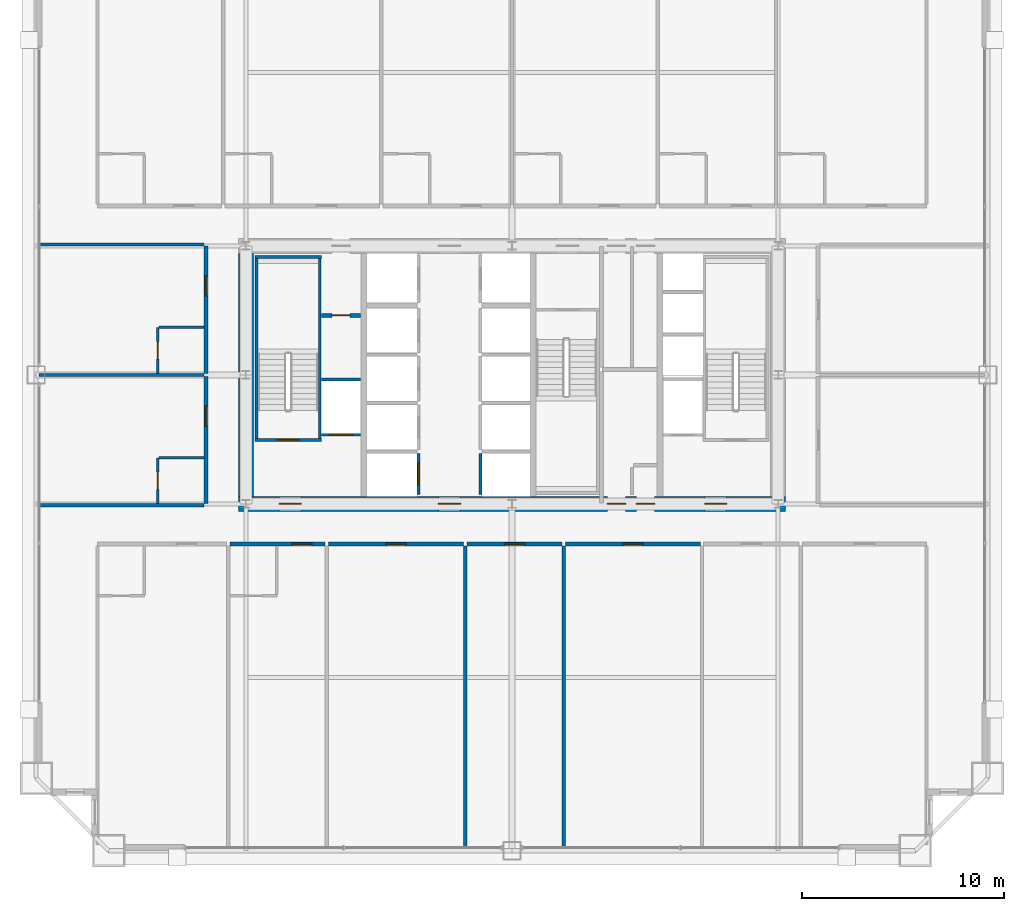
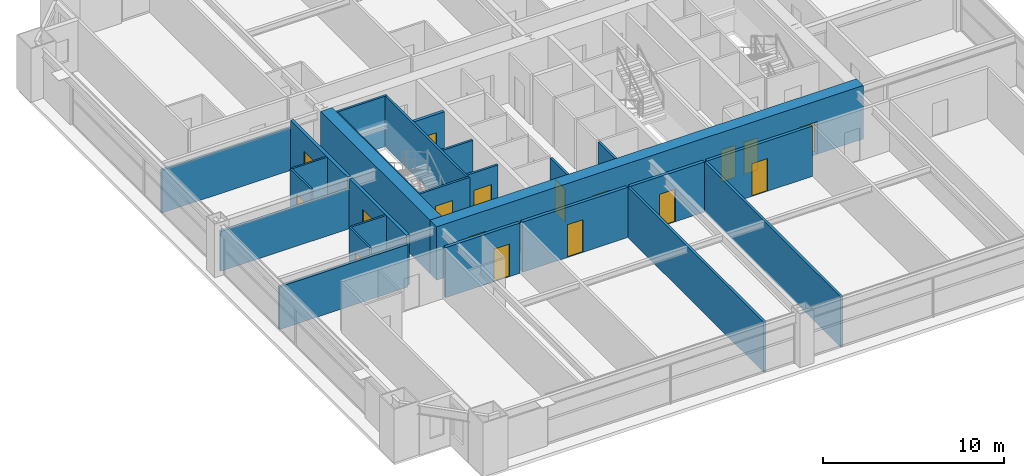
# One storey, part 35 of 39: 26 walls, 17 doors, 17 openings.
"""IFC4 building model written with IfcOpenShell, lengths in metres."""

from ifc_helpers import new_model, si_unit, direction, frame, frame_2d, origin, place, context, subcontext, project, spatial, rectangle, extrude, source, transform, mapped, material, layer, layer_set, type_object, element, fill, save


model = new_model("IFC4")

# Units and contexts
model_context = context("Model", 3, precision=1e-05, world=origin(), true_north=direction((0.0, 1.0)))
body_context = subcontext(model_context, "Body", "Model", "MODEL_VIEW")
ifc_project = project(units=[si_unit("LENGTHUNIT", "METRE"), si_unit("AREAUNIT", "SQUARE_METRE"), si_unit("VOLUMEUNIT", "CUBIC_METRE"), si_unit("PLANEANGLEUNIT", "RADIAN"), si_unit("MASSUNIT", "GRAM", prefix="KILO"), si_unit("THERMODYNAMICTEMPERATUREUNIT", "KELVIN"), si_unit("POWERUNIT", "WATT")], contexts=[model_context])

# Site, building, storey
site_placement = place(None, origin())
site = spatial("IfcSite", under=ifc_project, at=site_placement, CompositionType="ELEMENT")
building_placement = place(site_placement, origin())
building = spatial("IfcBuilding", under=site, at=building_placement, Name="Yuzanri Waterfront Tower", CompositionType="ELEMENT")
storey_placement = place(building_placement, frame((0.0, 0.0, 156.0)))
storey = spatial("IfcBuildingStorey", under=building, at=storey_placement, Name="L41", CompositionType="ELEMENT", Elevation=156.0)

# Wall, opening, door
ifc_material_1 = material(Name="Moisture-Resistant Gypsum Stud Wall", Category="gypsum")
ifc_layer_1 = layer(ifc_material_1, 0.1201171875)
ifc_layer_set_1 = layer_set([ifc_layer_1], Name="Moisture-Resistant Gypsum Stud Wall")
wall_type_1 = type_object("IfcWallType", Name="Bathroom and Kitchen Wet Partition 120", PredefinedType="PARTITIONING", material=ifc_layer_set_1)
wall_1_placement = place(storey_placement, frame((19.43994140625, 19.409912109375, 0.0), z_axis=(0.0, 0.0, 1.0), x_axis=(0.0, 1.0, 0.0)))
wall_1 = element("IfcWall", 1, at=wall_1_placement, inside=storey, type_object=wall_type_1, Name="L41 Partition UW-L41-W1-BW", PredefinedType="PARTITIONING", context=body_context, shape_type="SweptSolid", body=[
    extrude(rectangle(XDim=2.280029296875, YDim=0.1201171875, at=frame_2d((1.14013671875, 0.0))), origin(), (0.0, 0.0, 1.0), 3.3798828125),
])
opening_1_placement = place(wall_1_placement, frame((0.715087890625, 0.0, 0.0)))
opening_1 = element("IfcOpeningElement", 2, at=opening_1_placement, cuts=wall_1, Name="Opening ID-0850", PredefinedType="OPENING", context=body_context, shape_type="SweptSolid", body=[
    extrude(rectangle(XDim=0.85009765625, YDim=2.10009765625, at=frame_2d((0.425048828125, 1.050048828125))), frame((0.0, 0.074951171875, 0.0), z_axis=(0.0, -1.0, 0.0), x_axis=(1.0, 0.0, 0.0)), (0.0, 0.0, 1.0), 0.14990234375),
])
ifc_material_2 = material(Name="Moisture-Resistant Lacquered Timber", Category="wood")
door_type_1 = type_object("IfcDoorType", Name="En-Suite Bathroom and Kitchen Swing Door 850x2100", OperationType="NOTDEFINED", PredefinedType="DOOR", material=ifc_material_2)
shared_shape_1 = source(origin(), body_context, "Body", "SweptSolid", [
    extrude(rectangle(XDim=0.85009765625, YDim=2.10009765625, at=frame_2d((0.425048828125, 1.050048828125))), frame((0.0, 0.02490234375, 0.0), z_axis=(0.0, -1.0, 0.0), x_axis=(1.0, 0.0, 0.0)), (0.0, 0.0, 1.0), 0.050048828125),
])
door_1_placement = place(opening_1_placement, origin())
door_1 = element("IfcDoor", 3, at=door_1_placement, inside=storey, type_object=door_type_1, Name="L41 Guest En-Suite Door", OperationType="SINGLE_SWING_LEFT", OverallHeight=2.10009765625, OverallWidth=0.85009765625, PredefinedType="DOOR", context=body_context, shape_type="MappedRepresentation", body=[
    mapped(shared_shape_1, transform((0.0, 0.0, 0.0), scale=1.0)),
])
fill(opening_1, door_1)

wall_2_placement = place(storey_placement, frame((19.43994140625, 25.8798828125, 0.0), z_axis=(0.0, 0.0, 1.0), x_axis=(0.0, 1.0, 0.0)))
wall_2 = element("IfcWall", 4, at=wall_2_placement, inside=storey, type_object=wall_type_1, Name="L41 Partition UW-L41-W2-BW", PredefinedType="PARTITIONING", context=body_context, shape_type="SweptSolid", body=[
    extrude(rectangle(XDim=2.280029296875, YDim=0.1201171875, at=frame_2d((1.14013671875, 0.0))), origin(), (0.0, 0.0, 1.0), 3.3798828125),
])
opening_2_placement = place(wall_2_placement, frame((0.715087890625, 0.0, 0.0)))
opening_2 = element("IfcOpeningElement", 5, at=opening_2_placement, cuts=wall_2, Name="Opening ID-0850", PredefinedType="OPENING", context=body_context, shape_type="SweptSolid", body=[
    extrude(rectangle(XDim=0.85009765625, YDim=2.10009765625, at=frame_2d((0.425048828125, 1.050048828125))), frame((0.0, 0.074951171875, 0.0), z_axis=(0.0, -1.0, 0.0), x_axis=(1.0, 0.0, 0.0)), (0.0, 0.0, 1.0), 0.14990234375),
])
door_2_placement = place(opening_2_placement, origin())
door_2 = element("IfcDoor", 6, at=door_2_placement, inside=storey, type_object=door_type_1, Name="L41 Guest En-Suite Door", OperationType="SINGLE_SWING_LEFT", OverallHeight=2.10009765625, OverallWidth=0.85009765625, PredefinedType="DOOR", context=body_context, shape_type="MappedRepresentation", body=[
    mapped(shared_shape_1, transform((0.0, 0.0, 0.0), scale=1.0)),
])
fill(opening_2, door_2)

# Wall, openings, doors
ifc_material_3 = material(Name="Concrete C55", Category="concrete")
ifc_layer_2 = layer(ifc_material_3, 0.75)
ifc_layer_set_2 = layer_set([ifc_layer_2], Name="Concrete C55")
wall_type_2 = type_object("IfcWallType", Name="Concrete C55 Low-Mid Zone Core Shear Wall 750", PredefinedType="SHEAR", material=ifc_layer_set_2)
wall_3_placement = place(storey_placement, frame((23.425048828125, 19.39990234375, 0.0), z_axis=(0.0, 0.0, 1.0), x_axis=(1.0, 0.0, 0.0)))
wall_3 = element("IfcWall", 7, at=wall_3_placement, inside=storey, type_object=wall_type_2, Name="L41 Core South Shear Wall", PredefinedType="SHEAR", context=body_context, shape_type="SweptSolid", body=[
    extrude(rectangle(XDim=27.14990234375, YDim=0.75, at=frame_2d((13.574951171875, 0.0))), origin(), (0.0, 0.0, 1.0), 3.60009765625),
])
opening_3_placement = place(wall_3_placement, frame((2.02490234375, 0.0, 0.0)))
opening_3 = element("IfcOpeningElement", 8, at=opening_3_placement, cuts=wall_3, Name="Opening FD-1100", PredefinedType="OPENING", context=body_context, shape_type="SweptSolid", body=[
    extrude(rectangle(XDim=1.10009765625, YDim=2.199951171875, at=frame_2d((0.550048828125, 1.10009765625))), frame((0.0, 0.389892578125, 0.0), z_axis=(0.0, -1.0, 0.0), x_axis=(1.0, 0.0, 0.0)), (0.0, 0.0, 1.0), 0.77978515625),
])
opening_4_placement = place(wall_3_placement, frame((9.925048828125, 0.0, 0.0)))
opening_4 = element("IfcOpeningElement", 9, at=opening_4_placement, cuts=wall_3, Name="Opening FD-1100", PredefinedType="OPENING", context=body_context, shape_type="SweptSolid", body=[
    extrude(rectangle(XDim=1.10009765625, YDim=2.199951171875, at=frame_2d((0.550048828125, 1.10009765625))), frame((0.0, 0.389892578125, 0.0), z_axis=(0.0, -1.0, 0.0), x_axis=(1.0, 0.0, 0.0)), (0.0, 0.0, 1.0), 0.77978515625),
])
opening_5_placement = place(wall_3_placement, frame((23.125, 0.0, 0.0)))
opening_5 = element("IfcOpeningElement", 10, at=opening_5_placement, cuts=wall_3, Name="Opening FD-1100", PredefinedType="OPENING", context=body_context, shape_type="SweptSolid", body=[
    extrude(rectangle(XDim=1.10009765625, YDim=2.199951171875, at=frame_2d((0.550048828125, 1.10009765625))), frame((0.0, 0.389892578125, 0.0), z_axis=(0.0, -1.0, 0.0), x_axis=(1.0, 0.0, 0.0)), (0.0, 0.0, 1.0), 0.77978515625),
])
opening_6_placement = place(wall_3_placement, frame((19.7451171875, 0.0, 0.0)))
opening_6 = element("IfcOpeningElement", 11, at=opening_6_placement, cuts=wall_3, Name="Opening FD-0900", PredefinedType="OPENING", context=body_context, shape_type="SweptSolid", body=[
    extrude(rectangle(XDim=0.89990234375, YDim=2.14990234375, at=frame_2d((0.449951171875, 1.074951171875))), frame((0.0, 0.389892578125, 0.0), z_axis=(0.0, -1.0, 0.0), x_axis=(1.0, 0.0, 0.0)), (0.0, 0.0, 1.0), 0.77978515625),
])
opening_7_placement = place(wall_3_placement, frame((18.304931640625, 0.0, 0.0)))
opening_7 = element("IfcOpeningElement", 12, at=opening_7_placement, cuts=wall_3, Name="Opening FD-0900", PredefinedType="OPENING", context=body_context, shape_type="SweptSolid", body=[
    extrude(rectangle(XDim=0.89990234375, YDim=2.14990234375, at=frame_2d((0.449951171875, 1.074951171875))), frame((0.0, 0.389892578125, 0.0), z_axis=(0.0, -1.0, 0.0), x_axis=(1.0, 0.0, 0.0)), (0.0, 0.0, 1.0), 0.77978515625),
])
ifc_material_4 = material(Name="Painted Galvanized Fire Steel", Category="steel")
door_type_2 = type_object("IfcDoorType", Name="Smoke-Proof Stair and Lobby Fire Door 1100x2200", OperationType="NOTDEFINED", PredefinedType="DOOR", material=ifc_material_4)
shared_shape_2 = source(origin(), body_context, "Body", "SweptSolid", [
    extrude(rectangle(XDim=1.10009765625, YDim=2.199951171875, at=frame_2d((0.550048828125, 1.10009765625))), frame((0.0, 0.02490234375, 0.0), z_axis=(0.0, -1.0, 0.0), x_axis=(1.0, 0.0, 0.0)), (0.0, 0.0, 1.0), 0.050048828125),
])
door_3_placement = place(opening_3_placement, origin())
door_3 = element("IfcDoor", 13, at=door_3_placement, inside=storey, type_object=door_type_2, Name="L41 West Firefighting Lobby Door", OperationType="SINGLE_SWING_RIGHT", OverallHeight=2.199951171875, OverallWidth=1.10009765625, PredefinedType="DOOR", context=body_context, shape_type="MappedRepresentation", body=[
    mapped(shared_shape_2, transform((0.0, 0.0, 0.0), scale=1.0)),
])
fill(opening_3, door_3)
door_4_placement = place(opening_4_placement, origin())
door_4 = element("IfcDoor", 14, at=door_4_placement, inside=storey, type_object=door_type_2, Name="L41 Central Lift Lobby South Door", OperationType="SINGLE_SWING_LEFT", OverallHeight=2.199951171875, OverallWidth=1.10009765625, PredefinedType="DOOR", context=body_context, shape_type="MappedRepresentation", body=[
    mapped(shared_shape_2, transform((0.0, 0.0, 0.0), scale=1.0)),
])
fill(opening_4, door_4)
door_5_placement = place(opening_5_placement, origin())
door_5 = element("IfcDoor", 15, at=door_5_placement, inside=storey, type_object=door_type_2, Name="L41 East Firefighting Lobby Door", OperationType="SINGLE_SWING_RIGHT", OverallHeight=2.199951171875, OverallWidth=1.10009765625, PredefinedType="DOOR", context=body_context, shape_type="MappedRepresentation", body=[
    mapped(shared_shape_2, transform((0.0, 0.0, 0.0), scale=1.0)),
])
fill(opening_5, door_5)
ifc_material_5 = material(Name="Painted Galvanized Fire Steel", Category="steel")
door_type_3 = type_object("IfcDoorType", Name="Riser and Service Room Fire Door 900x2150", OperationType="NOTDEFINED", PredefinedType="DOOR", material=ifc_material_5)
shared_shape_3 = source(origin(), body_context, "Body", "SweptSolid", [
    extrude(rectangle(XDim=0.89990234375, YDim=2.14990234375, at=frame_2d((0.449951171875, 1.074951171875))), frame((0.0, 0.02490234375, 0.0), z_axis=(0.0, -1.0, 0.0), x_axis=(1.0, 0.0, 0.0)), (0.0, 0.0, 1.0), 0.050048828125),
])
door_6_placement = place(opening_6_placement, origin())
door_6 = element("IfcDoor", 16, at=door_6_placement, inside=storey, type_object=door_type_3, Name="L41 East Wet Riser Door", OperationType="SINGLE_SWING_LEFT", OverallHeight=2.14990234375, OverallWidth=0.89990234375, PredefinedType="DOOR", context=body_context, shape_type="MappedRepresentation", body=[
    mapped(shared_shape_3, transform((0.0, 0.0, 0.0), scale=1.0)),
])
fill(opening_6, door_6)
door_7_placement = place(opening_7_placement, origin())
door_7 = element("IfcDoor", 17, at=door_7_placement, inside=storey, type_object=door_type_3, Name="L41 Housekeeping Room", OperationType="SINGLE_SWING_RIGHT", OverallHeight=2.14990234375, OverallWidth=0.89990234375, PredefinedType="DOOR", context=body_context, shape_type="MappedRepresentation", body=[
    mapped(shared_shape_3, transform((0.0, 0.0, 0.0), scale=1.0)),
])
fill(opening_7, door_7)

# Wall, opening, door
ifc_material_6 = material(Name="Concrete C40", Category="concrete")
ifc_layer_3 = layer(ifc_material_6, 0.139892578125)
ifc_layer_set_3 = layer_set([ifc_layer_3], Name="Concrete C40")
wall_type_3 = type_object("IfcWallType", Name="Core Stair Liner and Hoistway Shaft Wall 140", PredefinedType="SOLIDWALL", material=ifc_layer_set_3)
wall_4_placement = place(storey_placement, frame((27.56005859375, 22.830078125, 0.0), z_axis=(0.0, 0.0, 1.0), x_axis=(1.0, 0.0, 0.0)))
wall_4 = element("IfcWall", 18, at=wall_4_placement, inside=storey, type_object=wall_type_3, Name="L41 Lift FL-01 Front Shaft Wall", PredefinedType="SOLIDWALL", context=body_context, shape_type="SweptSolid", body=[
    extrude(rectangle(XDim=1.919921875, YDim=0.139892578125, at=frame_2d((0.9599609375, 0.0))), origin(), (0.0, 0.0, 1.0), 3.3798828125),
])
opening_8_placement = place(wall_4_placement, frame((0.409912109375, 0.0, 0.0)))
opening_8 = element("IfcOpeningElement", 19, at=opening_8_placement, cuts=wall_4, Name="Opening LD-FL-01", PredefinedType="OPENING", context=body_context, shape_type="SweptSolid", body=[
    extrude(rectangle(XDim=1.10009765625, YDim=2.199951171875, at=frame_2d((0.550048828125, 1.10009765625))), frame((0.0, 0.0849609375, 0.0), z_axis=(0.0, -1.0, 0.0), x_axis=(1.0, 0.0, 0.0)), (0.0, 0.0, 1.0), 0.169677734375),
])
ifc_material_7 = material(Name="Brushed Bronze and Stainless Steel Cab", Category="steel")
door_type_4 = type_object("IfcDoorType", Name="Center-Parting Bronze Lift Landing Sliding Door 1100x2200", OperationType="NOTDEFINED", PredefinedType="DOOR", material=ifc_material_7)
shared_shape_4 = source(origin(), body_context, "Body", "SweptSolid", [
    extrude(rectangle(XDim=1.10009765625, YDim=2.199951171875, at=frame_2d((0.550048828125, 1.10009765625))), frame((0.0, 0.02490234375, 0.0), z_axis=(0.0, -1.0, 0.0), x_axis=(1.0, 0.0, 0.0)), (0.0, 0.0, 1.0), 0.050048828125),
])
door_8_placement = place(opening_8_placement, origin())
door_8 = element("IfcDoor", 20, at=door_8_placement, inside=storey, type_object=door_type_4, Name="L41 FL-01 Lift Landing Sliding Door", OperationType="SLIDING_TO_LEFT", OverallHeight=2.199951171875, OverallWidth=1.10009765625, PredefinedType="DOOR", context=body_context, shape_type="MappedRepresentation", body=[
    mapped(shared_shape_4, transform((0.0, 0.0, 0.0), scale=1.0)),
])
fill(opening_8, door_8)

wall_5_placement = place(storey_placement, frame((32.3701171875, 19.860107421875, 0.0), z_axis=(0.0, 0.0, 1.0), x_axis=(0.0, 1.0, 0.0)))
wall_5 = element("IfcWall", 21, at=wall_5_placement, inside=storey, type_object=wall_type_3, Name="L41 Lift PL-01 Front Shaft Wall", PredefinedType="SOLIDWALL", context=body_context, shape_type="SweptSolid", body=[
    extrude(rectangle(XDim=2.039794921875, YDim=0.139892578125, at=frame_2d((1.02001953125, 0.0))), origin(), (0.0, 0.0, 1.0), 3.3798828125),
])
opening_9_placement = place(wall_5_placement, frame((0.469970703125, 0.0, 0.0)))
opening_9 = element("IfcOpeningElement", 22, at=opening_9_placement, cuts=wall_5, Name="Opening LD-PL-01", PredefinedType="OPENING", context=body_context, shape_type="SweptSolid", body=[
    extrude(rectangle(XDim=1.10009765625, YDim=2.199951171875, at=frame_2d((0.550048828125, 1.10009765625))), frame((0.0, 0.0849609375, 0.0), z_axis=(0.0, -1.0, 0.0), x_axis=(1.0, 0.0, 0.0)), (0.0, 0.0, 1.0), 0.169677734375),
])
door_9_placement = place(opening_9_placement, origin())
door_9 = element("IfcDoor", 23, at=door_9_placement, inside=storey, type_object=door_type_4, Name="L41 PL-01 Lift Landing Sliding Door", OperationType="SLIDING_TO_LEFT", OverallHeight=2.199951171875, OverallWidth=1.10009765625, PredefinedType="DOOR", context=body_context, shape_type="MappedRepresentation", body=[
    mapped(shared_shape_4, transform((0.0, 0.0, 0.0), scale=1.0)),
])
fill(opening_9, door_9)

wall_6_placement = place(storey_placement, frame((24.260009765625, 22.570068359375, 0.0), z_axis=(0.0, 0.0, 1.0), x_axis=(1.0, 0.0, 0.0)))
wall_6 = element("IfcWall", 24, at=wall_6_placement, inside=storey, type_object=wall_type_3, Name="L41 Shaft Wall STW-L41-ST-01-S", PredefinedType="SOLIDWALL", context=body_context, shape_type="SweptSolid", body=[
    extrude(rectangle(XDim=3.280029296875, YDim=0.139892578125, at=frame_2d((1.64013671875, 0.0))), origin(), (0.0, 0.0, 1.0), 3.3798828125),
])
opening_10_placement = place(wall_6_placement, frame((1.090087890625, 0.0, 0.0)))
opening_10 = element("IfcOpeningElement", 25, at=opening_10_placement, cuts=wall_6, Name="Opening FD-1100", PredefinedType="OPENING", context=body_context, shape_type="SweptSolid", body=[
    extrude(rectangle(XDim=1.10009765625, YDim=2.199951171875, at=frame_2d((0.550048828125, 1.10009765625))), frame((0.0, 0.0849609375, 0.0), z_axis=(0.0, -1.0, 0.0), x_axis=(1.0, 0.0, 0.0)), (0.0, 0.0, 1.0), 0.169677734375),
])
door_10_placement = place(opening_10_placement, origin())
door_10 = element("IfcDoor", 26, at=door_10_placement, inside=storey, type_object=door_type_2, Name="L41 Stair ST-01 Fire Door", OperationType="SINGLE_SWING_LEFT", OverallHeight=2.199951171875, OverallWidth=1.10009765625, PredefinedType="DOOR", context=body_context, shape_type="MappedRepresentation", body=[
    mapped(shared_shape_2, transform((0.0, 0.0, 0.0), scale=1.0)),
])
fill(opening_10, door_10)

ifc_material_8 = material(Name="Autoclaved Aerated Concrete Blockwork", Category="masonry")
ifc_layer_4 = layer(ifc_material_8, 0.199951171875)
ifc_layer_set_4 = layer_set([ifc_layer_4], Name="Autoclaved Aerated Concrete Blockwork")
wall_type_4 = type_object("IfcWallType", Name="Corridor and Unit Party Fire Wall 200", PredefinedType="PARTITIONING", material=ifc_layer_set_4)
wall_7_placement = place(storey_placement, frame((27.56005859375, 28.75, 0.0), z_axis=(0.0, 0.0, 1.0), x_axis=(1.0, 0.0, 0.0)))
wall_7 = element("IfcWall", 27, at=wall_7_placement, inside=storey, type_object=wall_type_4, Name="L41 Partition CRW-L41-ERTR", PredefinedType="PARTITIONING", context=body_context, shape_type="SweptSolid", body=[
    extrude(rectangle(XDim=1.919921875, YDim=0.199951171875, at=frame_2d((0.9599609375, 0.0))), origin(), (0.0, 0.0, 1.0), 3.3798828125),
])
opening_11_placement = place(wall_7_placement, frame((0.510009765625, 0.0, 0.0)))
opening_11 = element("IfcOpeningElement", 28, at=opening_11_placement, cuts=wall_7, Name="Opening FD-0900", PredefinedType="OPENING", context=body_context, shape_type="SweptSolid", body=[
    extrude(rectangle(XDim=0.89990234375, YDim=2.14990234375, at=frame_2d((0.449951171875, 1.074951171875))), frame((0.0, 0.11474609375, 0.0), z_axis=(0.0, -1.0, 0.0), x_axis=(1.0, 0.0, 0.0)), (0.0, 0.0, 1.0), 0.229736328125),
])
door_11_placement = place(opening_11_placement, origin())
door_11 = element("IfcDoor", 29, at=door_11_placement, inside=storey, type_object=door_type_3, Name="L41 Electrical Riser Door", OperationType="SINGLE_SWING_RIGHT", OverallHeight=2.14990234375, OverallWidth=0.89990234375, PredefinedType="DOOR", context=body_context, shape_type="MappedRepresentation", body=[
    mapped(shared_shape_3, transform((0.0, 0.0, 0.0), scale=1.0)),
])
fill(opening_11, door_11)

wall_8_placement = place(storey_placement, frame((23.010986328125, 17.419921875, 0.0), z_axis=(0.0, 0.0, 1.0), x_axis=(1.0, 0.0, 0.0)))
wall_8 = element("IfcWall", 30, at=wall_8_placement, inside=storey, type_object=wall_type_4, Name="L41 Partition UW-L41-S2-CN", PredefinedType="PARTITIONING", context=body_context, shape_type="SweptSolid", body=[
    extrude(rectangle(XDim=4.72705078125, YDim=0.199951171875, at=frame_2d((2.363525390625, 0.0))), origin(), (0.0, 0.0, 1.0), 3.3798828125),
])
opening_12_placement = place(wall_8_placement, frame((3.068115234375, 0.0, 0.0)))
opening_12 = element("IfcOpeningElement", 31, at=opening_12_placement, cuts=wall_8, Name="Opening FD-1000", PredefinedType="OPENING", context=body_context, shape_type="SweptSolid", body=[
    extrude(rectangle(XDim=1.0, YDim=2.199951171875, at=frame_2d((0.5, 1.10009765625))), frame((0.0, 0.11474609375, 0.0), z_axis=(0.0, -1.0, 0.0), x_axis=(1.0, 0.0, 0.0)), (0.0, 0.0, 1.0), 0.229736328125),
])
ifc_material_9 = material(Name="Engineered Oak Fire-Rated Timber", Category="wood")
door_type_5 = type_object("IfcDoorType", Name="Guestroom and Apartment Entrance Fire Door 1000x2200", OperationType="NOTDEFINED", PredefinedType="DOOR", material=ifc_material_9)
shared_shape_5 = source(origin(), body_context, "Body", "SweptSolid", [
    extrude(rectangle(XDim=1.0, YDim=2.199951171875, at=frame_2d((0.5, 1.10009765625))), frame((0.0, 0.02490234375, 0.0), z_axis=(0.0, -1.0, 0.0), x_axis=(1.0, 0.0, 0.0)), (0.0, 0.0, 1.0), 0.050048828125),
])
door_12_placement = place(opening_12_placement, origin())
door_12 = element("IfcDoor", 32, at=door_12_placement, inside=storey, type_object=door_type_5, Name="L41 Junior Suite Entrance Door", OperationType="SINGLE_SWING_LEFT", OverallHeight=2.199951171875, OverallWidth=1.0, PredefinedType="DOOR", context=body_context, shape_type="MappedRepresentation", body=[
    mapped(shared_shape_5, transform((0.0, 0.0, 0.0), scale=1.0)),
])
fill(opening_12, door_12)

wall_9_placement = place(storey_placement, frame((27.89794921875, 17.419921875, 0.0), z_axis=(0.0, 0.0, 1.0), x_axis=(1.0, 0.0, 0.0)))
wall_9 = element("IfcWall", 33, at=wall_9_placement, inside=storey, type_object=wall_type_4, Name="L41 Partition UW-L41-S3-CN", PredefinedType="PARTITIONING", context=body_context, shape_type="SweptSolid", body=[
    extrude(rectangle(XDim=6.7021484375, YDim=0.199951171875, at=frame_2d((3.35107421875, 0.0))), origin(), (0.0, 0.0, 1.0), 3.3798828125),
])
opening_13_placement = place(wall_9_placement, frame((2.85107421875, 0.0, 0.0)))
opening_13 = element("IfcOpeningElement", 34, at=opening_13_placement, cuts=wall_9, Name="Opening FD-1000", PredefinedType="OPENING", context=body_context, shape_type="SweptSolid", body=[
    extrude(rectangle(XDim=1.0, YDim=2.199951171875, at=frame_2d((0.5, 1.10009765625))), frame((0.0, 0.11474609375, 0.0), z_axis=(0.0, -1.0, 0.0), x_axis=(1.0, 0.0, 0.0)), (0.0, 0.0, 1.0), 0.229736328125),
])
door_13_placement = place(opening_13_placement, origin())
door_13 = element("IfcDoor", 35, at=door_13_placement, inside=storey, type_object=door_type_5, Name="L41 Executive Club Room Entrance Door", OperationType="SINGLE_SWING_LEFT", OverallHeight=2.199951171875, OverallWidth=1.0, PredefinedType="DOOR", context=body_context, shape_type="MappedRepresentation", body=[
    mapped(shared_shape_5, transform((0.0, 0.0, 0.0), scale=1.0)),
])
fill(opening_13, door_13)

wall_10_placement = place(storey_placement, frame((34.760009765625, 17.419921875, 0.0), z_axis=(0.0, 0.0, 1.0), x_axis=(1.0, 0.0, 0.0)))
wall_10 = element("IfcWall", 36, at=wall_10_placement, inside=storey, type_object=wall_type_4, Name="L41 Partition UW-L41-S4-CN", PredefinedType="PARTITIONING", context=body_context, shape_type="SweptSolid", body=[
    extrude(rectangle(XDim=4.72705078125, YDim=0.199951171875, at=frame_2d((2.363525390625, 0.0))), origin(), (0.0, 0.0, 1.0), 3.3798828125),
])
opening_14_placement = place(wall_10_placement, frame((1.863037109375, 0.0, 0.0)))
opening_14 = element("IfcOpeningElement", 37, at=opening_14_placement, cuts=wall_10, Name="Opening FD-1000", PredefinedType="OPENING", context=body_context, shape_type="SweptSolid", body=[
    extrude(rectangle(XDim=1.0, YDim=2.199951171875, at=frame_2d((0.5, 1.10009765625))), frame((0.0, 0.11474609375, 0.0), z_axis=(0.0, -1.0, 0.0), x_axis=(1.0, 0.0, 0.0)), (0.0, 0.0, 1.0), 0.229736328125),
])
door_14_placement = place(opening_14_placement, origin())
door_14 = element("IfcDoor", 38, at=door_14_placement, inside=storey, type_object=door_type_5, Name="L41 Chamber Music Room Entrance Door", OperationType="SINGLE_SWING_RIGHT", OverallHeight=2.199951171875, OverallWidth=1.0, PredefinedType="DOOR", context=body_context, shape_type="MappedRepresentation", body=[
    mapped(shared_shape_5, transform((0.0, 0.0, 0.0), scale=1.0)),
])
fill(opening_14, door_14)

wall_11_placement = place(storey_placement, frame((39.64697265625, 17.419921875, 0.0), z_axis=(0.0, 0.0, 1.0), x_axis=(1.0, 0.0, 0.0)))
wall_11 = element("IfcWall", 39, at=wall_11_placement, inside=storey, type_object=wall_type_4, Name="L41 Partition UW-L41-S5-CN", PredefinedType="PARTITIONING", context=body_context, shape_type="SweptSolid", body=[
    extrude(rectangle(XDim=6.700927734375, YDim=0.199951171875, at=frame_2d((3.3505859375, 0.0))), origin(), (0.0, 0.0, 1.0), 3.3798828125),
])
opening_15_placement = place(wall_11_placement, frame((2.85107421875, 0.0, 0.0)))
opening_15 = element("IfcOpeningElement", 40, at=opening_15_placement, cuts=wall_11, Name="Opening FD-1000", PredefinedType="OPENING", context=body_context, shape_type="SweptSolid", body=[
    extrude(rectangle(XDim=1.0, YDim=2.199951171875, at=frame_2d((0.5, 1.10009765625))), frame((0.0, 0.11474609375, 0.0), z_axis=(0.0, -1.0, 0.0), x_axis=(1.0, 0.0, 0.0)), (0.0, 0.0, 1.0), 0.229736328125),
])
door_15_placement = place(opening_15_placement, origin())
door_15 = element("IfcDoor", 41, at=door_15_placement, inside=storey, type_object=door_type_5, Name="L41 Riverfront Art Gallery Entrance Door", OperationType="SINGLE_SWING_LEFT", OverallHeight=2.199951171875, OverallWidth=1.0, PredefinedType="DOOR", context=body_context, shape_type="MappedRepresentation", body=[
    mapped(shared_shape_5, transform((0.0, 0.0, 0.0), scale=1.0)),
])
fill(opening_15, door_15)

wall_12_placement = place(storey_placement, frame((21.820068359375, 19.409912109375, 0.0), z_axis=(0.0, 0.0, 1.0), x_axis=(0.0, 1.0, 0.0)))
wall_12 = element("IfcWall", 42, at=wall_12_placement, inside=storey, type_object=wall_type_4, Name="L41 Partition UW-L41-W1-CW", PredefinedType="PARTITIONING", context=body_context, shape_type="SweptSolid", body=[
    extrude(rectangle(XDim=6.31005859375, YDim=0.199951171875, at=frame_2d((3.155029296875, 0.0))), origin(), (0.0, 0.0, 1.0), 3.3798828125),
])
opening_16_placement = place(wall_12_placement, frame((3.8349609375, 0.0, 0.0)))
opening_16 = element("IfcOpeningElement", 43, at=opening_16_placement, cuts=wall_12, Name="Opening FD-1000", PredefinedType="OPENING", context=body_context, shape_type="SweptSolid", body=[
    extrude(rectangle(XDim=1.0, YDim=2.199951171875, at=frame_2d((0.5, 1.10009765625))), frame((0.0, 0.11474609375, 0.0), z_axis=(0.0, -1.0, 0.0), x_axis=(1.0, 0.0, 0.0)), (0.0, 0.0, 1.0), 0.229736328125),
])
door_16_placement = place(opening_16_placement, origin())
door_16 = element("IfcDoor", 44, at=door_16_placement, inside=storey, type_object=door_type_5, Name="L41 West Guest Room Entrance Door", OperationType="SINGLE_SWING_RIGHT", OverallHeight=2.199951171875, OverallWidth=1.0, PredefinedType="DOOR", context=body_context, shape_type="MappedRepresentation", body=[
    mapped(shared_shape_5, transform((0.0, 0.0, 0.0), scale=1.0)),
])
fill(opening_16, door_16)

wall_13_placement = place(storey_placement, frame((21.820068359375, 25.8798828125, 0.0), z_axis=(0.0, 0.0, 1.0), x_axis=(0.0, 1.0, 0.0)))
wall_13 = element("IfcWall", 45, at=wall_13_placement, inside=storey, type_object=wall_type_4, Name="L41 Partition UW-L41-W2-CW", PredefinedType="PARTITIONING", context=body_context, shape_type="SweptSolid", body=[
    extrude(rectangle(XDim=6.31005859375, YDim=0.199951171875, at=frame_2d((3.155029296875, 0.0))), origin(), (0.0, 0.0, 1.0), 3.3798828125),
])
opening_17_placement = place(wall_13_placement, frame((3.8349609375, 0.0, 0.0)))
opening_17 = element("IfcOpeningElement", 46, at=opening_17_placement, cuts=wall_13, Name="Opening FD-1000", PredefinedType="OPENING", context=body_context, shape_type="SweptSolid", body=[
    extrude(rectangle(XDim=1.0, YDim=2.199951171875, at=frame_2d((0.5, 1.10009765625))), frame((0.0, 0.11474609375, 0.0), z_axis=(0.0, -1.0, 0.0), x_axis=(1.0, 0.0, 0.0)), (0.0, 0.0, 1.0), 0.229736328125),
])
door_17_placement = place(opening_17_placement, origin())
door_17 = element("IfcDoor", 47, at=door_17_placement, inside=storey, type_object=door_type_5, Name="L41 West Guest Room Entrance Door", OperationType="SINGLE_SWING_RIGHT", OverallHeight=2.199951171875, OverallWidth=1.0, PredefinedType="DOOR", context=body_context, shape_type="MappedRepresentation", body=[
    mapped(shared_shape_5, transform((0.0, 0.0, 0.0), scale=1.0)),
])
fill(opening_17, door_17)

# Walls
shared_shape_6 = source(origin(), body_context, "Body", "SweptSolid", [
    extrude(rectangle(XDim=12.050048828125, YDim=0.75, at=frame_2d((6.02490234375, 0.0))), origin(), (0.0, 0.0, 1.0), 3.60009765625),
])
wall_14_placement = place(storey_placement, frame((23.800048828125, 19.77490234375, 0.0), z_axis=(0.0, 0.0, 1.0), x_axis=(0.0, 1.0, 0.0)))
element("IfcWall", 48, at=wall_14_placement, inside=storey, type_object=wall_type_2, Name="L41 Core West Shear Wall", PredefinedType="SHEAR", context=body_context, shape_type="MappedRepresentation", body=[
    mapped(shared_shape_6, transform((0.0, 0.0, 0.0), scale=1.0)),
])
shared_shape_7 = source(origin(), body_context, "Body", "SweptSolid", [
    extrude(rectangle(XDim=1.919921875, YDim=0.139892578125, at=frame_2d((0.9599609375, 0.0))), origin(), (0.0, 0.0, 1.0), 3.3798828125),
])
wall_15_placement = place(storey_placement, frame((27.56005859375, 25.570068359375, 0.0), z_axis=(0.0, 0.0, 1.0), x_axis=(1.0, 0.0, 0.0)))
element("IfcWall", 49, at=wall_15_placement, inside=storey, type_object=wall_type_3, Name="L41 Lift FL-01 Back Shaft Wall", PredefinedType="SOLIDWALL", context=body_context, shape_type="MappedRepresentation", body=[
    mapped(shared_shape_7, transform((0.0, 0.0, 0.0), scale=1.0)),
])
shared_shape_8 = source(origin(), body_context, "Body", "SweptSolid", [
    extrude(rectangle(XDim=2.039794921875, YDim=0.139892578125, at=frame_2d((1.02001953125, 0.0))), origin(), (0.0, 0.0, 1.0), 3.3798828125),
])
wall_16_placement = place(storey_placement, frame((35.429931640625, 19.860107421875, 0.0), z_axis=(0.0, 0.0, 1.0), x_axis=(0.0, 1.0, 0.0)))
element("IfcWall", 50, at=wall_16_placement, inside=storey, type_object=wall_type_3, Name="L41 Lift PL-05 Front Shaft Wall", PredefinedType="SOLIDWALL", context=body_context, shape_type="MappedRepresentation", body=[
    mapped(shared_shape_8, transform((0.0, 0.0, 0.0), scale=1.0)),
])
shared_shape_9 = source(origin(), body_context, "Body", "SweptSolid", [
    extrude(rectangle(XDim=3.280029296875, YDim=0.139892578125, at=frame_2d((1.64013671875, 0.0))), origin(), (0.0, 0.0, 1.0), 3.3798828125),
])
wall_17_placement = place(storey_placement, frame((24.260009765625, 31.64990234375, 0.0), z_axis=(0.0, 0.0, 1.0), x_axis=(1.0, 0.0, 0.0)))
element("IfcWall", 51, at=wall_17_placement, inside=storey, type_object=wall_type_3, Name="L41 Stair ST-01 North Shaft Wall", PredefinedType="SOLIDWALL", context=body_context, shape_type="MappedRepresentation", body=[
    mapped(shared_shape_9, transform((0.0, 0.0, 0.0), scale=1.0)),
])
shared_shape_10 = source(origin(), body_context, "Body", "SweptSolid", [
    extrude(rectangle(XDim=8.940185546875, YDim=0.139892578125, at=frame_2d((4.47021484375, 0.0))), origin(), (0.0, 0.0, 1.0), 3.3798828125),
])
for number, where, z_axis, x_axis, name in (
    (52, (24.330078125, 22.639892578125, 0.0), (0.0, 0.0, 1.0), (0.0, 1.0, 0.0), "L41 Stair ST-01 West Shaft Wall"),
    (53, (27.469970703125, 22.639892578125, 0.0), (0.0, 0.0, 1.0), (0.0, 1.0, 0.0), "L41 Stair ST-01 East Shaft Wall"),
):
    element("IfcWall", number, at=place(storey_placement, frame(where, z_axis=z_axis, x_axis=x_axis)), inside=storey, type_object=wall_type_3, Name=name, PredefinedType="SOLIDWALL", context=body_context, shape_type="MappedRepresentation", body=[
        mapped(shared_shape_10, transform((0.0, 0.0, 0.0), scale=1.0)),
    ])
shared_shape_11 = source(origin(), body_context, "Body", "SweptSolid", [
    extrude(rectangle(XDim=2.219970703125, YDim=0.1201171875, at=frame_2d((1.10986328125, 0.0))), origin(), (0.0, 0.0, 1.0), 3.3798828125),
])
for number, where, z_axis, x_axis, name in (
    (54, (19.5, 21.68994140625, 0.0), (0.0, 0.0, 1.0), (1.0, 0.0, 0.0), "L41-W1 En-Suite Top Wall"),
    (55, (19.5, 28.159912109375, 0.0), (0.0, 0.0, 1.0), (1.0, 0.0, 0.0), "L41-W2 En-Suite Top Wall"),
):
    element("IfcWall", number, at=place(storey_placement, frame(where, z_axis=z_axis, x_axis=x_axis)), inside=storey, type_object=wall_type_1, Name=name, PredefinedType="PARTITIONING", context=body_context, shape_type="MappedRepresentation", body=[
        mapped(shared_shape_11, transform((0.0, 0.0, 0.0), scale=1.0)),
    ])
ifc_material_10 = material(Name="Gypsum Fireboard Acoustic Stud Wall", Category="gypsum")
ifc_layer_5 = layer(ifc_material_10, 0.159912109375)
ifc_layer_set_5 = layer_set([ifc_layer_5], Name="Gypsum Fireboard Acoustic Stud Wall")
wall_type_5 = type_object("IfcWallType", Name="Acoustic Suite Demising Partition 160", PredefinedType="PARTITIONING", material=ifc_layer_set_5)
shared_shape_12 = source(origin(), body_context, "Body", "SweptSolid", [
    extrude(rectangle(XDim=8.169921875, YDim=0.159912109375, at=frame_2d((4.0849609375, 0.0))), origin(), (0.0, 0.0, 1.0), 2.675048828125),
])
wall_18_placement = place(storey_placement, frame((13.550048828125, 25.800048828125, 0.0), z_axis=(0.0, 0.0, 1.0), x_axis=(1.0, 0.0, 0.0)))
element("IfcWall", 56, at=wall_18_placement, inside=storey, type_object=wall_type_5, Name="L41-W1 Wing Party Wall", PredefinedType="PARTITIONING", context=body_context, shape_type="MappedRepresentation", body=[
    mapped(shared_shape_12, transform((0.0, 0.0, 0.0), scale=1.0)),
])
shared_shape_13 = source(origin(), body_context, "Body", "SweptSolid", [
    extrude(rectangle(XDim=8.169921875, YDim=0.159912109375, at=frame_2d((4.0849609375, 0.0))), origin(), (0.0, 0.0, 1.0), 2.875),
])
for number, where, z_axis, x_axis, name in (
    (57, (13.550048828125, 19.330078125, 0.0), (0.0, 0.0, 1.0), (1.0, 0.0, 0.0), "L41-W1 Wing South End Wall"),
    (58, (13.550048828125, 32.27001953125, 0.0), (0.0, 0.0, 1.0), (1.0, 0.0, 0.0), "L41-W2 Wing North End Wall"),
):
    element("IfcWall", number, at=place(storey_placement, frame(where, z_axis=z_axis, x_axis=x_axis)), inside=storey, type_object=wall_type_5, Name=name, PredefinedType="PARTITIONING", context=body_context, shape_type="MappedRepresentation", body=[
        mapped(shared_shape_13, transform((0.0, 0.0, 0.0), scale=1.0)),
    ])
shared_shape_14 = source(origin(), body_context, "Body", "SweptSolid", [
    extrude(rectangle(XDim=14.969970703125, YDim=0.159912109375, at=frame_2d((7.48486328125, 0.0))), origin(), (0.0, 0.0, 1.0), 3.3798828125),
])
for number, where, z_axis, x_axis, name in (
    (59, (34.679931640625, 2.35009765625, 0.0), (0.0, 0.0, 1.0), (0.0, 1.0, 0.0), "L41-S3 Party Wall"),
    (60, (39.56689453125, 2.35009765625, 0.0), (0.0, 0.0, 1.0), (0.0, 1.0, 0.0), "L41-S4 Party Wall"),
):
    element("IfcWall", number, at=place(storey_placement, frame(where, z_axis=z_axis, x_axis=x_axis)), inside=storey, type_object=wall_type_5, Name=name, PredefinedType="PARTITIONING", context=body_context, shape_type="MappedRepresentation", body=[
        mapped(shared_shape_14, transform((0.0, 0.0, 0.0), scale=1.0)),
    ])

save(model, "model.ifc")
